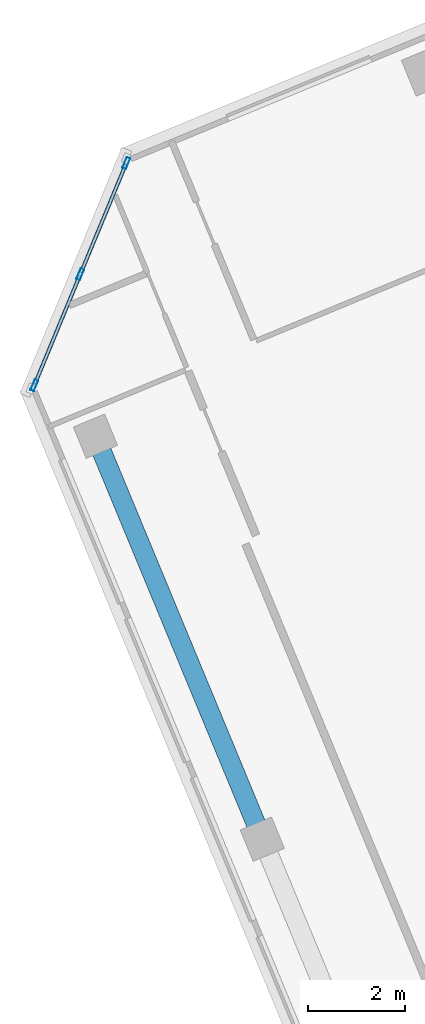
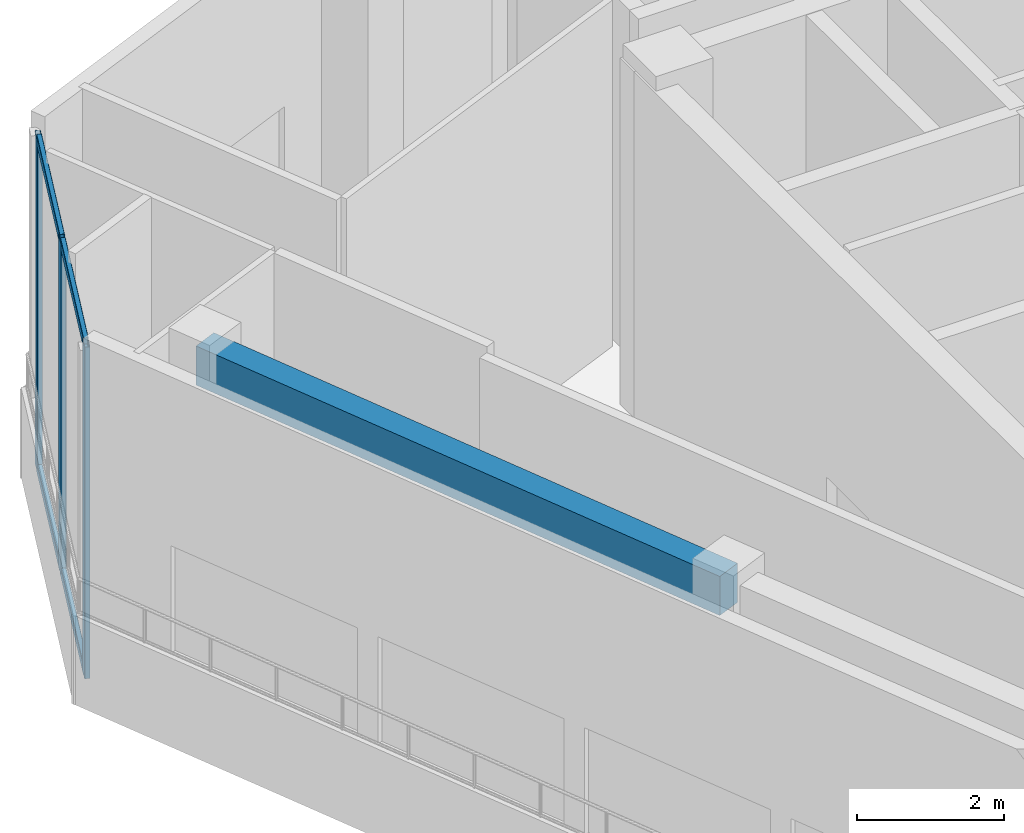
# One storey, part 3 of 16: 7 members, 1 beam, 1 element without a shape of its own.
"""IFC4 building model written with IfcOpenShell, lengths in metres."""

from ifc_helpers import new_model, si_unit, direction, frame, origin, origin_2d, place, context, subcontext, project, spatial, rectangle, hollow_rectangle, extrude, source, transform, mapped, material, material_profile, profile_set, type_object, element, aggregate, save


model = new_model("IFC4")

# Units and contexts
model_context = context("Model", 3, precision=1e-05, world=origin(), true_north=direction((0.0, 1.0)))
body_context = subcontext(model_context, "Body", "Model", "MODEL_VIEW")
ifc_project = project(units=[si_unit("LENGTHUNIT", "METRE"), si_unit("AREAUNIT", "SQUARE_METRE"), si_unit("VOLUMEUNIT", "CUBIC_METRE"), si_unit("PLANEANGLEUNIT", "RADIAN"), si_unit("MASSUNIT", "GRAM", prefix="KILO")], contexts=[model_context])

# Site, building, storey
site_placement = place(None, origin())
site = spatial("IfcSite", under=ifc_project, at=site_placement, CompositionType="ELEMENT")
building_placement = place(site_placement, origin())
building = spatial("IfcBuilding", under=site, at=building_placement, Name="Torre Montelarca", CompositionType="ELEMENT")
storey_placement = place(building_placement, frame((0.0, 0.0, 349.199951171875)))
storey = spatial("IfcBuildingStorey", under=building, at=storey_placement, Name="L79", CompositionType="ELEMENT", Elevation=349.199951171875)

# Beam
ifc_material_1 = material(Name="Concrete C40/50", Category="concrete")
ifc_material_profile_1 = material_profile(ifc_material_1, rectangle(XDim=0.39990234375, YDim=0.64990234375, at=origin_2d()), Name="RCB400X650", Category="concrete")
ifc_profile_set_1 = profile_set([ifc_material_profile_1], Name="Concrete C40/50")
beam_type = type_object("IfcBeamType", Name="BM-SP-RC650-EXT", PredefinedType="SPANDREL", material=ifc_profile_set_1)
shared_shape_1 = source(origin(), body_context, "Body", "SweptSolid", [
    extrude(rectangle(XDim=0.39990234375, YDim=0.64990234375, at=origin_2d()), origin(), (0.0, 0.0, 1.0), 9.0),
])
beam_placement = place(storey_placement, frame((0.82568359375, 36.96630859375, 5.43505859375), z_axis=(0.382699975578, -0.923872679915, 0.0), x_axis=(0.923872679915, 0.382699975578, 0.0)))
element("IfcBeam", 1, at=beam_placement, inside=storey, type_object=beam_type, Name="L79 Grid Girder X 9.0-18.0 at Y=14.8", PredefinedType="SPANDREL", context=body_context, shape_type="MappedRepresentation", body=[
    mapped(shared_shape_1, transform((0.0, 0.0, 0.0), scale=1.0)),
])

# Curtain wall, members
ifc_material_2 = material(Name="Amber translucent laminated glass", Category="glass")
curtain_wall_type = type_object("IfcCurtainWallType", Name="CW-SYS-LANT", PredefinedType="USERDEFINED", material=ifc_material_2)
curtain_wall_placement = place(storey_placement, origin())
curtain_wall = element("IfcCurtainWall", 2, at=curtain_wall_placement, inside=storey, type_object=curtain_wall_type, Name="L79 Curtain Wall Run CW-T3-L79-E11-B1", ObjectType="TRANSLUCENT LANTERN", PredefinedType="USERDEFINED")
ifc_material_3 = material(Name="Anodised aluminium AA 6063-T6", Category="aluminium")
ifc_material_profile_2 = material_profile(ifc_material_3, hollow_rectangle(XDim=0.080078125, YDim=0.239990234375, WallThickness=0.0048828125, InnerFilletRadius=0.0048828125, OuterFilletRadius=0.010009765625, at=origin_2d()), Name="ALU80X240X5", Category="aluminium")
ifc_profile_set_2 = profile_set([ifc_material_profile_2], Name="Anodised aluminium AA 6063-T6")
member_type_1 = type_object("IfcMemberType", Name="CWM-ALU240", PredefinedType="MULLION", material=ifc_profile_set_2)
shared_shape_2 = source(origin(), body_context, "Body", "SweptSolid", [
    extrude(hollow_rectangle(XDim=0.080078125, YDim=0.239990234375, WallThickness=0.0048828125, InnerFilletRadius=0.0048828125, OuterFilletRadius=0.010009765625, at=origin_2d()), origin(), (0.0, 0.0, 1.0), 5.52001953125),
])
member_1_placement = place(storey_placement, frame((1.4638671875, 42.60205078125, 0.0), z_axis=(0.0, 0.0, 1.0), x_axis=(0.923884613184, -0.382671166306, 0.0)))
member_1 = element("IfcMember", 3, at=member_1_placement, type_object=member_type_1, Name="CW mullion 1", PredefinedType="MULLION", context=body_context, shape_type="MappedRepresentation", body=[
    mapped(shared_shape_2, transform((0.0, 0.0, 0.0), scale=1.0)),
])
member_2_placement = place(storey_placement, frame((0.514404296875, 40.309814453125, 0.0), z_axis=(0.0, 0.0, 1.0), x_axis=(0.923884613184, -0.382671166306, 0.0)))
member_2 = element("IfcMember", 4, at=member_2_placement, type_object=member_type_1, Name="CW mullion 2", PredefinedType="MULLION", context=body_context, shape_type="MappedRepresentation", body=[
    mapped(shared_shape_2, transform((0.0, 0.0, 0.0), scale=1.0)),
])
member_3_placement = place(storey_placement, frame((-0.43505859375, 38.017578125, 0.0), z_axis=(0.0, 0.0, 1.0), x_axis=(0.923884613184, -0.382671166306, 0.0)))
member_3 = element("IfcMember", 5, at=member_3_placement, type_object=member_type_1, Name="CW mullion 3", PredefinedType="MULLION", context=body_context, shape_type="MappedRepresentation", body=[
    mapped(shared_shape_2, transform((0.0, 0.0, 0.0), scale=1.0)),
])
ifc_material_profile_3 = material_profile(ifc_material_3, hollow_rectangle(XDim=0.074951171875, YDim=0.159912109375, WallThickness=0.0048828125, InnerFilletRadius=0.0048828125, OuterFilletRadius=0.010009765625, at=origin_2d()), Name="ALU75X160X5", Category="aluminium")
ifc_profile_set_3 = profile_set([ifc_material_profile_3], Name="Anodised aluminium AA 6063-T6")
member_type_2 = type_object("IfcMemberType", Name="CWT-ALU160", PredefinedType="USERDEFINED", material=ifc_profile_set_3)
shared_shape_3 = source(origin(), body_context, "Body", "SweptSolid", [
    extrude(hollow_rectangle(XDim=0.074951171875, YDim=0.159912109375, WallThickness=0.0048828125, InnerFilletRadius=0.0048828125, OuterFilletRadius=0.010009765625, at=origin_2d()), origin(), (0.0, 0.0, 1.0), 2.401123046875),
])
member_4_placement = place(storey_placement, frame((1.448486328125, 42.565185546875, 0.03759765625), z_axis=(-0.382600235697, -0.923913989311, 0.0), x_axis=(0.923913989311, -0.382600235697, 0.0)))
member_4 = element("IfcMember", 6, at=member_4_placement, type_object=member_type_2, Name="CW transom 1.1", ObjectType="TRANSOM", PredefinedType="USERDEFINED", context=body_context, shape_type="MappedRepresentation", body=[
    mapped(shared_shape_3, transform((0.0, 0.0, 0.0), scale=1.0)),
])
member_5_placement = place(storey_placement, frame((1.448486328125, 42.565185546875, 5.482666015625), z_axis=(-0.382600235697, -0.923913989311, 0.0), x_axis=(0.923913989311, -0.382600235697, 0.0)))
member_5 = element("IfcMember", 7, at=member_5_placement, type_object=member_type_2, Name="CW transom 1.2", ObjectType="TRANSOM", PredefinedType="USERDEFINED", context=body_context, shape_type="MappedRepresentation", body=[
    mapped(shared_shape_3, transform((0.0, 0.0, 0.0), scale=1.0)),
])
member_6_placement = place(storey_placement, frame((0.4990234375, 40.27294921875, 0.03759765625), z_axis=(-0.382600235697, -0.923913989311, 0.0), x_axis=(0.923913989311, -0.382600235697, 0.0)))
member_6 = element("IfcMember", 8, at=member_6_placement, type_object=member_type_2, Name="CW transom 2.1", ObjectType="TRANSOM", PredefinedType="USERDEFINED", context=body_context, shape_type="MappedRepresentation", body=[
    mapped(shared_shape_3, transform((0.0, 0.0, 0.0), scale=1.0)),
])
member_7_placement = place(storey_placement, frame((0.4990234375, 40.27294921875, 5.482666015625), z_axis=(-0.382600235697, -0.923913989311, 0.0), x_axis=(0.923913989311, -0.382600235697, 0.0)))
member_7 = element("IfcMember", 9, at=member_7_placement, type_object=member_type_2, Name="CW transom 2.2", ObjectType="TRANSOM", PredefinedType="USERDEFINED", context=body_context, shape_type="MappedRepresentation", body=[
    mapped(shared_shape_3, transform((0.0, 0.0, 0.0), scale=1.0)),
])
aggregate(curtain_wall, [member_1, member_2, member_3, member_4, member_5, member_6, member_7])

save(model, "model.ifc")
